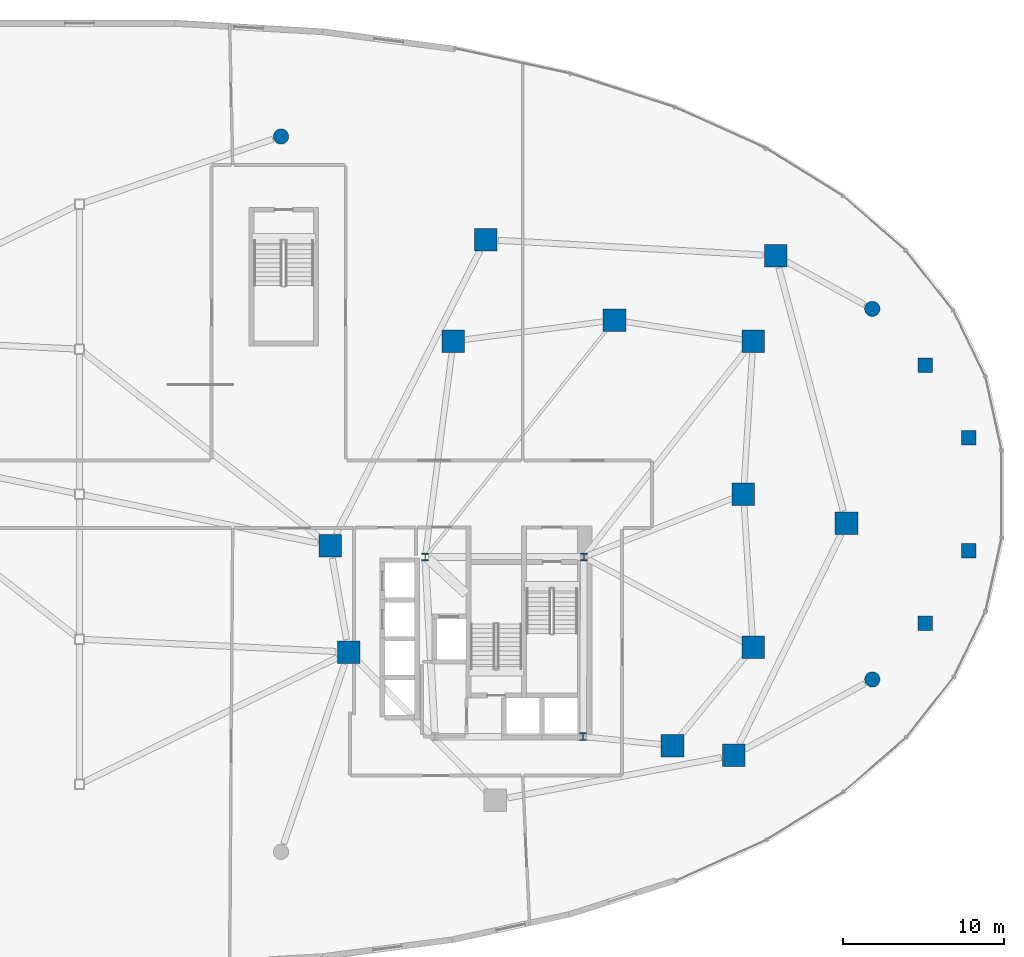
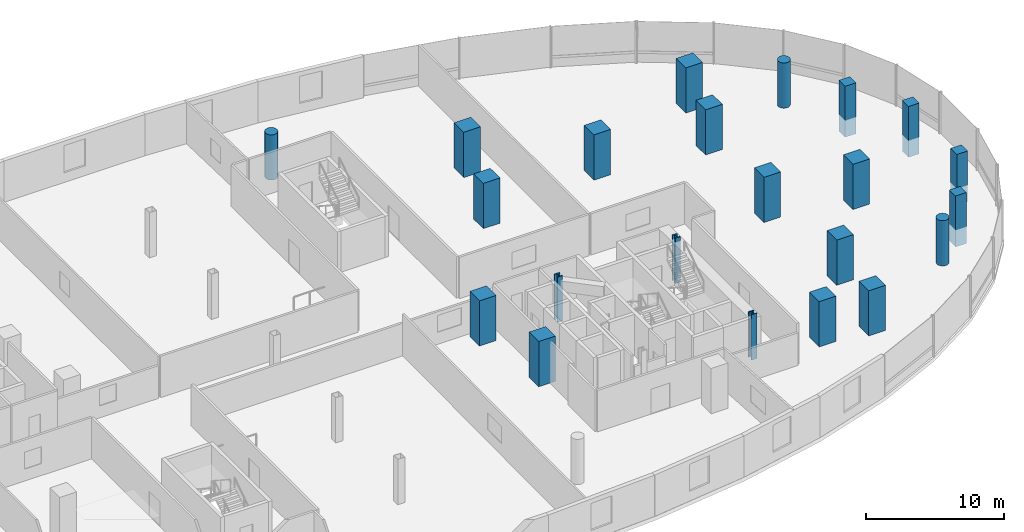
# One storey, part 2 of 18: 22 columns.
"""IFC4 building model written with IfcOpenShell, lengths in metres."""

from ifc_helpers import new_model, si_unit, direction, frame, origin, origin_2d, place, context, subcontext, project, spatial, rectangle, circle, i_section, extrude, material, material_profile, profile_set, type_object, element, save


model = new_model("IFC4")

# Units and contexts
model_context = context("Model", 3, precision=1e-05, world=origin(), true_north=direction((0.0, 1.0)))
body_context = subcontext(model_context, "Body", "Model", "MODEL_VIEW")
ifc_project = project(units=[si_unit("LENGTHUNIT", "METRE"), si_unit("AREAUNIT", "SQUARE_METRE"), si_unit("VOLUMEUNIT", "CUBIC_METRE"), si_unit("PLANEANGLEUNIT", "RADIAN"), si_unit("MASSUNIT", "GRAM", prefix="KILO"), si_unit("THERMODYNAMICTEMPERATUREUNIT", "KELVIN"), si_unit("POWERUNIT", "WATT")], contexts=[model_context])

# Site, building, storey
site_placement = place(None, origin())
site = spatial("IfcSite", under=ifc_project, at=site_placement, CompositionType="ELEMENT")
building_placement = place(site_placement, origin())
building = spatial("IfcBuilding", under=site, at=building_placement, Name="Cundina Bronze Exchange", CompositionType="ELEMENT")
storey_placement = place(building_placement, frame((0.0, 0.0, 12.0)))
storey = spatial("IfcBuildingStorey", under=building, at=storey_placement, Name="L02", CompositionType="ELEMENT", Elevation=12.0)

# Columns
ifc_material_1 = material(Name="Concrete C60/75", Category="concrete")
ifc_material_profile_1 = material_profile(ifc_material_1, rectangle(XDim=1.39990234375, YDim=1.39990234375, at=origin_2d()), Name="RC1400X1400", Category="concrete")
ifc_profile_set_1 = profile_set([ifc_material_profile_1], Name="Concrete C60/75")
column_type_1 = type_object("IfcColumnType", Name="COL-MEGA-1400", PredefinedType="COLUMN", material=ifc_profile_set_1)
for number, where, z_axis, x_axis, name in (
    (1, (41.199951171875, 0.0, 0.0), (0.0, 0.0, 1.0), (1.0, 0.0, 0.0), "L02 E Inner Ring Column 1"),
    (2, (41.800048828125, -9.5, 0.0), (0.0, 0.0, 1.0), (1.0, 0.0, 0.0), "L02 E Inner Ring Column 2"),
    (3, (36.800048828125, -15.60009765625, 0.0), (0.0, 0.0, 1.0), (1.0, 0.0, 0.0), "L02 E Inner Ring Column 3"),
    (4, (41.800048828125, 9.5, 0.0), (0.0, 0.0, 1.0), (1.0, 0.0, 0.0), "L02 E Inner Ring Column 4"),
    (5, (33.199951171875, 10.800048828125, 0.0), (0.0, 0.0, 1.0), (1.0, 0.0, 0.0), "L02 E Inner Ring Column 5"),
    (6, (23.199951171875, 9.5, 0.0), (0.0, 0.0, 1.0), (1.0, 0.0, 0.0), "L02 E Inner Ring Column 6"),
    (7, (15.550048828125, -3.199951171875, 0.0), (0.0, 0.0, 1.0), (1.0, 0.0, 0.0), "L02 E Podium Mega-Column 00"),
    (8, (16.699951171875, -9.800048828125, 0.0), (0.0, 0.0, 1.0), (1.0, 0.0, 0.0), "L02 E Podium Mega-Column 02"),
    (9, (40.60009765625, -16.199951171875, 0.0), (0.0, 0.0, 1.0), (1.0, 0.0, 0.0), "L02 E Podium Mega-Column 06"),
    (10, (47.60009765625, -1.800048828125, 0.0), (0.0, 0.0, 1.0), (1.0, 0.0, 0.0), "L02 E Podium Mega-Column 08"),
    (11, (43.199951171875, 14.800048828125, 0.0), (0.0, 0.0, 1.0), (1.0, 0.0, 0.0), "L02 E Podium Mega-Column 10"),
    (12, (25.199951171875, 15.800048828125, 0.0), (0.0, 0.0, 1.0), (1.0, 0.0, 0.0), "L02 E Podium Mega-Column 12"),
):
    element("IfcColumn", number, at=place(storey_placement, frame(where, z_axis=z_axis, x_axis=x_axis)), inside=storey, type_object=column_type_1, Name=name, PredefinedType="COLUMN", context=body_context, shape_type="SweptSolid", body=[
        extrude(rectangle(XDim=1.39990234375, YDim=1.39990234375, at=origin_2d()), origin(), (0.0, 0.0, 1.0), 4.0),
    ])
ifc_material_2 = material(Name="Concrete C50/60", Category="concrete")
ifc_material_profile_2 = material_profile(ifc_material_2, circle(Radius=0.47509765625, at=origin_2d()), Name="RC950D", Category="concrete")
ifc_profile_set_2 = profile_set([ifc_material_profile_2], Name="Concrete C50/60")
column_type_2 = type_object("IfcColumnType", Name="COL-PIL-950D", PredefinedType="PILASTER", material=ifc_profile_set_2)
for number, where, z_axis, x_axis, name in (
    (13, (12.5, 22.199951171875, 0.0), (0.0, 0.0, 1.0), (1.0, 0.0, 0.0), "L02 Podium Colonnade Pilaster 04"),
    (14, (49.199951171875, 11.5, 0.0), (0.0, 0.0, 1.0), (1.0, 0.0, 0.0), "L02 Podium Colonnade Pilaster 07"),
    (15, (49.199951171875, -11.5, 0.0), (0.0, 0.0, 1.0), (1.0, 0.0, 0.0), "L02 Podium Colonnade Pilaster 08"),
):
    element("IfcColumn", number, at=place(storey_placement, frame(where, z_axis=z_axis, x_axis=x_axis)), inside=storey, type_object=column_type_2, Name=name, PredefinedType="PILASTER", context=body_context, shape_type="SweptSolid", body=[
        extrude(circle(Radius=0.47509765625, at=origin_2d()), origin(), (0.0, 0.0, 1.0), 4.0),
    ])
ifc_material_3 = material(Name="Steel ASTM A992 Grade 50", Category="steel")
ifc_material_profile_3 = material_profile(ifc_material_3, i_section(OverallWidth=0.431884765625, OverallDepth=0.498046875, WebThickness=0.0556640625, FlangeThickness=0.0888671875, FilletRadius=0.01806640625, at=origin_2d()), Name="W14X500", Category="steel")
ifc_profile_set_3 = profile_set([ifc_material_profile_3], Name="Steel ASTM A992 Grade 50")
column_type_3 = type_object("IfcColumnType", Name="COL-STL-W14A", PredefinedType="COLUMN", material=ifc_profile_set_3)
for number, where, z_axis, x_axis, name in (
    (16, (31.300048828125, -3.89990234375, 0.0), (0.0, 0.0, 1.0), (1.0, 0.0, 0.0), "L02 Core Anchor Column E1"),
    (17, (21.449951171875, -3.89990234375, 0.0), (0.0, 0.0, 1.0), (1.0, 0.0, 0.0), "L02 Core Anchor Column E2"),
    (18, (31.25, -15.050048828125, 0.0), (0.0, 0.0, 1.0), (1.0, 0.0, 0.0), "L02 Core Anchor Column E4"),
):
    element("IfcColumn", number, at=place(storey_placement, frame(where, z_axis=z_axis, x_axis=x_axis)), inside=storey, type_object=column_type_3, Name=name, PredefinedType="COLUMN", context=body_context, shape_type="SweptSolid", body=[
        extrude(i_section(OverallWidth=0.431884765625, OverallDepth=0.498046875, WebThickness=0.0556640625, FlangeThickness=0.0888671875, FilletRadius=0.01806640625, at=origin_2d()), origin(), (0.0, 0.0, 1.0), 4.0),
    ])
ifc_material_profile_4 = material_profile(ifc_material_2, rectangle(XDim=0.89990234375, YDim=0.89990234375, at=origin_2d()), Name="RC900X900", Category="concrete")
ifc_profile_set_4 = profile_set([ifc_material_profile_4], Name="Concrete C50/60")
column_type_4 = type_object("IfcColumnType", Name="COL-Z4-900", PredefinedType="COLUMN", material=ifc_profile_set_4)
for number, where, z_axis, x_axis, name in (
    (19, (52.5, -8.0, -1.5), (0.0, 0.0, 1.0), (1.0, 0.0, 0.0), "L02 Podium Crescent Wing Column E1"),
    (20, (52.5, 8.0, -1.5), (0.0, 0.0, 1.0), (1.0, 0.0, 0.0), "L02 Podium Crescent Wing Column E2"),
    (21, (55.199951171875, -3.5, -1.5), (0.0, 0.0, 1.0), (1.0, 0.0, 0.0), "L02 Podium Crescent Wing Column E3"),
    (22, (55.199951171875, 3.5, -1.5), (0.0, 0.0, 1.0), (1.0, 0.0, 0.0), "L02 Podium Crescent Wing Column E4"),
):
    element("IfcColumn", number, at=place(storey_placement, frame(where, z_axis=z_axis, x_axis=x_axis)), inside=storey, type_object=column_type_4, Name=name, PredefinedType="COLUMN", context=body_context, shape_type="SweptSolid", body=[
        extrude(rectangle(XDim=0.89990234375, YDim=0.89990234375, at=origin_2d()), origin(), (0.0, 0.0, 1.0), 4.5),
    ])

save(model, "model.ifc")
